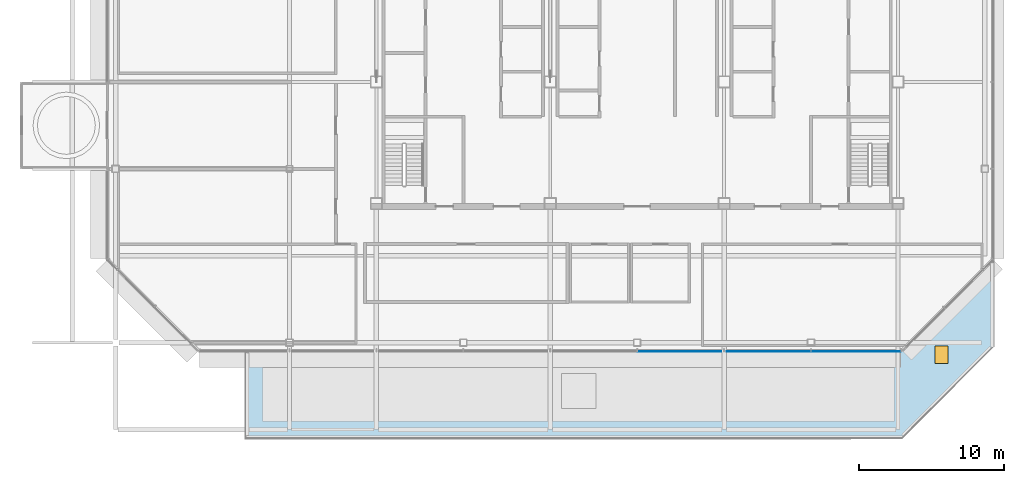
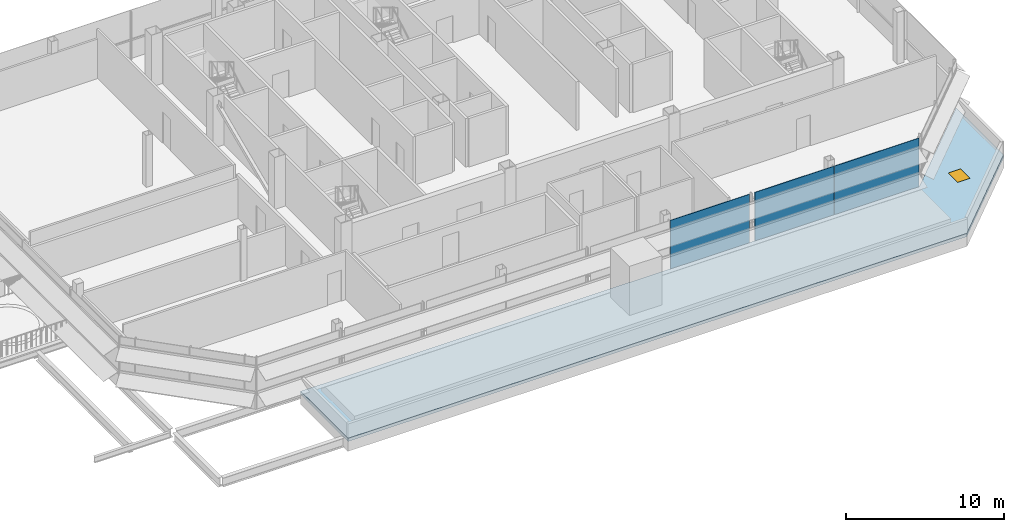
# One storey, part 16 of 26: 3 plates, 1 slab, 1 window, 1 opening, 1 element without a shape of its own.
"""IFC4 building model written with IfcOpenShell, lengths in metres."""

from ifc_helpers import new_model, si_unit, direction, frame, origin, origin_2d, place, context, subcontext, project, spatial, polyline, rectangle, outline, extrude, material, layer, layer_set, type_object, element, fill, aggregate, save


model = new_model("IFC4")

# Units and contexts
model_context = context("Model", 3, precision=1e-05, world=origin(), true_north=direction((0.0, 1.0)))
body_context = subcontext(model_context, "Body", "Model", "MODEL_VIEW")
ifc_project = project(units=[si_unit("LENGTHUNIT", "METRE"), si_unit("AREAUNIT", "SQUARE_METRE"), si_unit("VOLUMEUNIT", "CUBIC_METRE"), si_unit("PLANEANGLEUNIT", "RADIAN"), si_unit("MASSUNIT", "GRAM", prefix="KILO")], contexts=[model_context])

# Site, building, storey
site_placement = place(None, origin())
site = spatial("IfcSite", under=ifc_project, at=site_placement, CompositionType="ELEMENT")
building_placement = place(site_placement, origin())
building = spatial("IfcBuilding", under=site, at=building_placement, Name="Sorahane Residences", CompositionType="ELEMENT")
storey_placement = place(building_placement, frame((0.0, 0.0, 337.800048828125)))
storey = spatial("IfcBuildingStorey", under=building, at=storey_placement, Name="L80", CompositionType="ELEMENT", Elevation=337.800048828125)

# Curtain wall, plates
ifc_material_1 = material(Name="Dark low-e glass and black anodised aluminium", Category="aluminium")
curtain_wall_type = type_object("IfcCurtainWallType", Name="Curtain wall CW-6 Crown unitised wall", PredefinedType="NOTDEFINED", material=ifc_material_1)
curtain_wall_placement = place(storey_placement, origin())
curtain_wall = element("IfcCurtainWall", 1, at=curtain_wall_placement, inside=storey, type_object=curtain_wall_type, Name="CW-6 curtain wall L80 S1", PredefinedType="NOTDEFINED")
ifc_material_2 = material(Name="Dark low-e glass with black ceramic frit", Category="glass")
ifc_layer_1 = layer(ifc_material_2, 0.0400390625)
ifc_layer_set_1 = layer_set([ifc_layer_1], Name="Curtain wall glass panel dark low-e crown with black frit spandrel band")
plate_type = type_object("IfcPlateType", Name="Curtain wall glass panel dark low-e crown with black frit spandrel band", PredefinedType="CURTAIN_PANEL", material=ifc_layer_set_1)
plate_1_placement = place(storey_placement, frame((26.91259765625, 11.39990234375, -0.25), z_axis=(0.0, 0.0, 1.0), x_axis=(1.0, 0.0, 0.0)))
plate_1 = element("IfcPlate", 2, at=plate_1_placement, type_object=plate_type, Name="CW-6 glass panel L80 S1.6", PredefinedType="CURTAIN_PANEL", context=body_context, shape_type="SweptSolid", body=[
    extrude(rectangle(XDim=5.77490234375, YDim=0.0400390625, at=origin_2d()), origin(), (0.0, 0.0, 1.0), 4.0),
])
plate_2_placement = place(storey_placement, frame((33.08740234375, 11.39990234375, -0.25), z_axis=(0.0, 0.0, 1.0), x_axis=(1.0, 0.0, 0.0)))
plate_2 = element("IfcPlate", 3, at=plate_2_placement, type_object=plate_type, Name="CW-6 glass panel L80 S1.7", PredefinedType="CURTAIN_PANEL", context=body_context, shape_type="SweptSolid", body=[
    extrude(rectangle(XDim=5.77490234375, YDim=0.0400390625, at=origin_2d()), origin(), (0.0, 0.0, 1.0), 4.0),
])
plate_3_placement = place(storey_placement, frame((39.11181640625, 11.39990234375, -0.25), z_axis=(0.0, 0.0, 1.0), x_axis=(1.0, 0.0, 0.0)))
plate_3 = element("IfcPlate", 4, at=plate_3_placement, type_object=plate_type, Name="CW-6 glass panel L80 S1.8", PredefinedType="CURTAIN_PANEL", context=body_context, shape_type="SweptSolid", body=[
    extrude(rectangle(XDim=6.173583984375, YDim=0.0400390625, at=origin_2d()), origin(), (0.0, 0.0, 1.0), 4.0),
])
aggregate(curtain_wall, [plate_1, plate_2, plate_3])

# Slab, opening, window
ifc_material_3 = material(Name="Concrete C35", Category="concrete")
ifc_layer_2 = layer(ifc_material_3, 0.25)
ifc_layer_set_2 = layer_set([ifc_layer_2], Name="Roof terrace slab Concrete C35 paved 250")
slab_type = type_object("IfcSlabType", Name="Roof terrace slab Concrete C35 paved 250", PredefinedType="ROOF", material=ifc_layer_set_2)
slab_placement = place(storey_placement, frame((0.0, 0.0, -0.25)))
slab = element("IfcSlab", 5, at=slab_placement, inside=storey, type_object=slab_type, Name="Garden roof slab L80.1", PredefinedType="ROOF", context=body_context, shape_type="SweptSolid", body=[
    extrude(outline(polyline([(42.24853515625, 11.39990234375), (48.60009765625, 17.75146484375), (48.60009765625, 11.75146484375), (42.24853515625, 5.39990234375), (-3.0, 5.39990234375), (-3.0, 11.39990234375), (42.24853515625, 11.39990234375)])), origin(), (0.0, 0.0, 1.0), 0.25),
])
opening_placement = place(slab_placement, frame((45.013916015625, 11.166015625, 0.0)))
opening = element("IfcOpeningElement", 6, at=opening_placement, cuts=slab, Name="Opening RH-1", PredefinedType="OPENING", context=body_context, shape_type="SweptSolid", body=[
    extrude(rectangle(XDim=0.89990234375, YDim=1.199951171875, at=origin_2d()), frame((0.0, 0.0, -0.010009765625)), (0.0, 0.0, 1.0), 0.27001953125),
])
ifc_material_4 = material(Name="Aluminium and glass", Category="aluminium")
window_type = type_object("IfcWindowType", Name="ROOF ACCESS HATCH aluminium 900x1200", PartitioningType="SINGLE_PANEL", PredefinedType="SKYLIGHT", material=ifc_material_4)
window_placement = place(opening_placement, frame((0.0, 0.0, 0.199951171875)))
window = element("IfcWindow", 7, at=window_placement, inside=storey, type_object=window_type, Name="Roof access hatch L80.1", OverallHeight=1.199951171875, OverallWidth=0.89990234375, PartitioningType="SINGLE_PANEL", PredefinedType="SKYLIGHT", context=body_context, shape_type="SweptSolid", body=[
    extrude(rectangle(XDim=0.89990234375, YDim=1.199951171875, at=origin_2d()), origin(), (0.0, 0.0, 1.0), 0.050048828125),
])
fill(opening, window)

save(model, "model.ifc")
